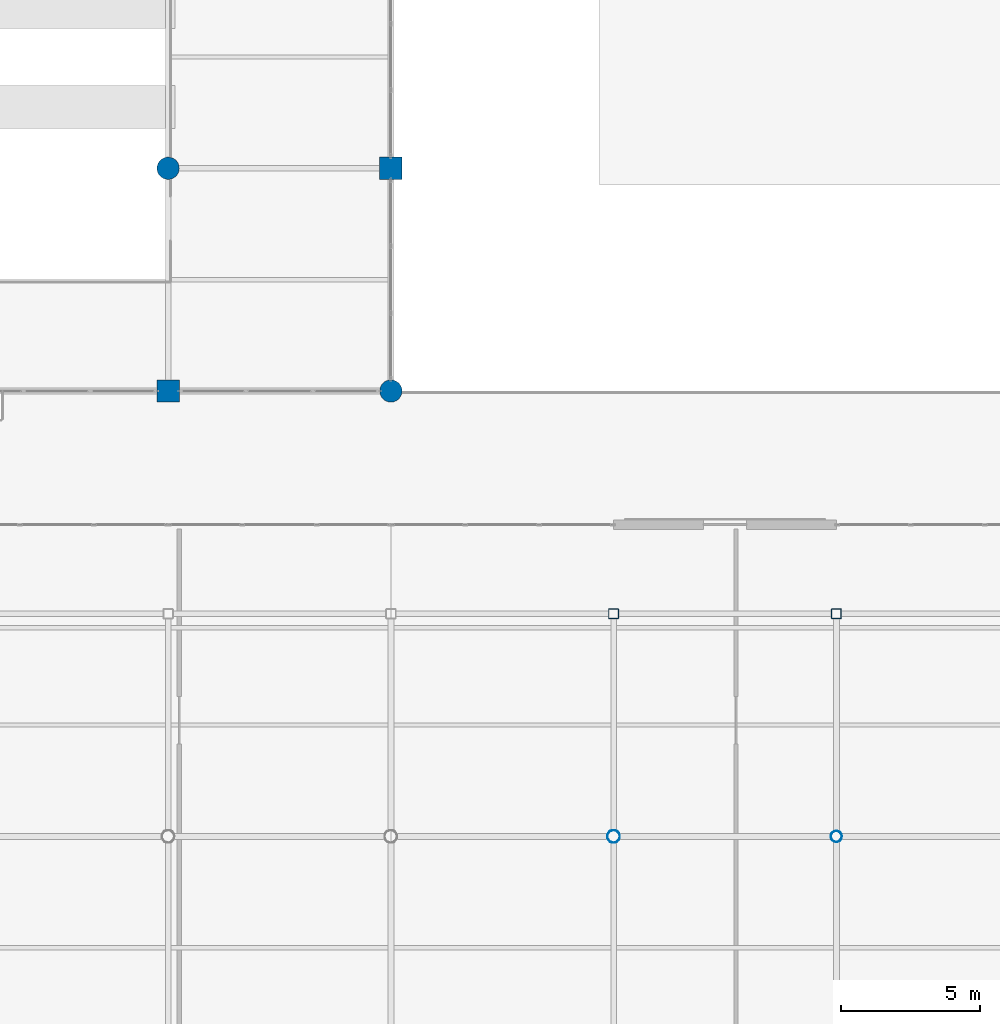
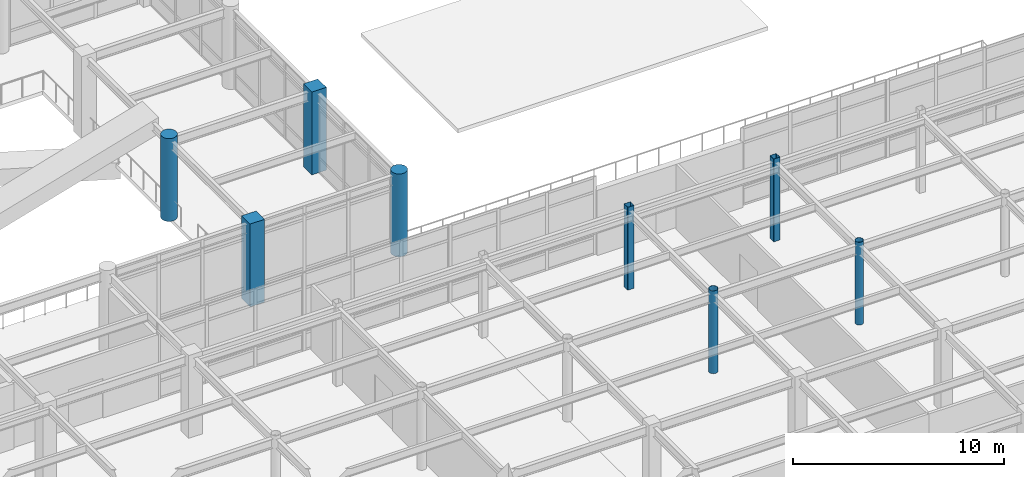
# One storey, part 9 of 117: 8 columns.
"""IFC4 building model written with IfcOpenShell, lengths in metres."""

from ifc_helpers import new_model, si_unit, direction, frame, origin, origin_2d, place, context, subcontext, project, spatial, rectangle, hollow_rectangle, circle, hollow_circle, extrude, material, material_profile, profile_set, type_object, element, save


model = new_model("IFC4")

# Units and contexts
model_context = context("Model", 3, precision=1e-05, world=origin(), true_north=direction((0.0, 1.0)))
body_context = subcontext(model_context, "Body", "Model", "MODEL_VIEW")
ifc_project = project(units=[si_unit("LENGTHUNIT", "METRE"), si_unit("AREAUNIT", "SQUARE_METRE"), si_unit("VOLUMEUNIT", "CUBIC_METRE"), si_unit("PLANEANGLEUNIT", "RADIAN"), si_unit("MASSUNIT", "GRAM", prefix="KILO")], contexts=[model_context])

# Site, building, storey
site_placement = place(None, origin())
site = spatial("IfcSite", under=ifc_project, at=site_placement, CompositionType="ELEMENT")
building_placement = place(site_placement, origin())
building = spatial("IfcBuilding", under=site, at=building_placement, Name="Solmirada Galleria", CompositionType="ELEMENT")
storey_placement = place(building_placement, frame((0.0, 0.0, 5.60009765625)))
storey = spatial("IfcBuildingStorey", under=building, at=storey_placement, Name="L01", CompositionType="ELEMENT", Elevation=5.60009765625)

# Columns
ifc_material_1 = material(Name="Steel S355 / ASTM A500 Grade C", Category="steel")
ifc_material_profile_1 = material_profile(ifc_material_1, hollow_circle(Radius=0.202880859375, WallThickness=0.01171875, at=origin_2d()), Name="HSS16.000X0.500")
ifc_profile_set_1 = profile_set([ifc_material_profile_1], Name="Steel S355 / ASTM A500 Grade C")
column_type_1 = type_object("IfcColumnType", Name="COL-CHS16", PredefinedType="COLUMN", material=ifc_profile_set_1)
column_1_placement = place(storey_placement, frame((128.0, 32.0, 0.0), z_axis=(0.0, 0.0, 1.0), x_axis=(1.0, 0.0, 0.0)))
element("IfcColumn", 1, at=column_1_placement, inside=storey, type_object=column_type_1, Name="Structural column L01-1036", PredefinedType="COLUMN", context=body_context, shape_type="SweptSolid", body=[
    extrude(hollow_circle(Radius=0.202880859375, WallThickness=0.01171875, at=origin_2d()), origin(), (0.0, 0.0, 1.0), 4.7998046875),
])
ifc_material_profile_2 = material_profile(ifc_material_1, hollow_circle(Radius=0.228515625, WallThickness=0.01171875, at=origin_2d()), Name="HSS18.000X0.500")
ifc_profile_set_2 = profile_set([ifc_material_profile_2], Name="Steel S355 / ASTM A500 Grade C")
column_type_2 = type_object("IfcColumnType", Name="COL-CHS18", PredefinedType="COLUMN", material=ifc_profile_set_2)
column_2_placement = place(storey_placement, frame((120.0, 32.0, 0.0), z_axis=(0.0, 0.0, 1.0), x_axis=(1.0, 0.0, 0.0)))
element("IfcColumn", 2, at=column_2_placement, inside=storey, type_object=column_type_2, Name="Structural column L01-0953", PredefinedType="COLUMN", context=body_context, shape_type="SweptSolid", body=[
    extrude(hollow_circle(Radius=0.228515625, WallThickness=0.01171875, at=origin_2d()), origin(), (0.0, 0.0, 1.0), 4.7998046875),
])
ifc_material_2 = material(Name="Concrete C40/50", Category="concrete")
ifc_material_profile_3 = material_profile(ifc_material_2, circle(Radius=0.39990234375, at=origin_2d()), Name="RCCOL800")
ifc_profile_set_3 = profile_set([ifc_material_profile_3], Name="Concrete C40/50")
column_type_3 = type_object("IfcColumnType", Name="COL-CIR800", PredefinedType="COLUMN", material=ifc_profile_set_3)
for number, where, z_axis, x_axis, name in (
    (3, (104.0, 56.0, 0.0), (0.0, 0.0, 1.0), (1.0, 0.0, 0.0), "Structural column L01-0744"),
    (4, (112.0, 48.0, 0.0), (0.0, 0.0, 1.0), (1.0, 0.0, 0.0), "Structural column L01-0847"),
):
    element("IfcColumn", number, at=place(storey_placement, frame(where, z_axis=z_axis, x_axis=x_axis)), inside=storey, type_object=column_type_3, Name=name, PredefinedType="COLUMN", context=body_context, shape_type="SweptSolid", body=[
        extrude(circle(Radius=0.39990234375, at=origin_2d()), origin(), (0.0, 0.0, 1.0), 4.7998046875),
    ])
ifc_material_profile_4 = material_profile(ifc_material_1, hollow_rectangle(XDim=0.35595703125, YDim=0.35595703125, WallThickness=0.01171875, InnerFilletRadius=0.01171875, OuterFilletRadius=0.023681640625, at=origin_2d()), Name="HSS14X14X1/2")
ifc_profile_set_4 = profile_set([ifc_material_profile_4], Name="Steel S355 / ASTM A500 Grade C")
column_type_4 = type_object("IfcColumnType", Name="COL-HSS14", PredefinedType="COLUMN", material=ifc_profile_set_4)
for number, where, z_axis, x_axis, name in (
    (5, (120.0, 40.0, 0.0), (0.0, 0.0, 1.0), (1.0, 0.0, 0.0), "Structural column L01-0960"),
    (6, (128.0, 40.0, 0.0), (0.0, 0.0, 1.0), (1.0, 0.0, 0.0), "Structural column L01-1043"),
):
    element("IfcColumn", number, at=place(storey_placement, frame(where, z_axis=z_axis, x_axis=x_axis)), inside=storey, type_object=column_type_4, Name=name, PredefinedType="COLUMN", context=body_context, shape_type="SweptSolid", body=[
        extrude(hollow_rectangle(XDim=0.35595703125, YDim=0.35595703125, WallThickness=0.01171875, InnerFilletRadius=0.01171875, OuterFilletRadius=0.023681640625, at=origin_2d()), origin(), (0.0, 0.0, 1.0), 4.7998046875),
    ])
ifc_material_profile_5 = material_profile(ifc_material_2, rectangle(XDim=0.800048828125, YDim=0.800048828125, at=origin_2d()), Name="RC800X800")
ifc_profile_set_5 = profile_set([ifc_material_profile_5], Name="Concrete C40/50")
column_type_5 = type_object("IfcColumnType", Name="COL-RC800", PredefinedType="COLUMN", material=ifc_profile_set_5)
for number, where, z_axis, x_axis, name in (
    (7, (104.0, 48.0, 0.0), (0.0, 0.0, 1.0), (1.0, 0.0, 0.0), "Structural column L01-0735"),
    (8, (112.0, 56.0, 0.0), (0.0, 0.0, 1.0), (1.0, 0.0, 0.0), "Structural column L01-0856"),
):
    element("IfcColumn", number, at=place(storey_placement, frame(where, z_axis=z_axis, x_axis=x_axis)), inside=storey, type_object=column_type_5, Name=name, PredefinedType="COLUMN", context=body_context, shape_type="SweptSolid", body=[
        extrude(rectangle(XDim=0.800048828125, YDim=0.800048828125, at=origin_2d()), origin(), (0.0, 0.0, 1.0), 4.7998046875),
    ])

save(model, "model.ifc")
